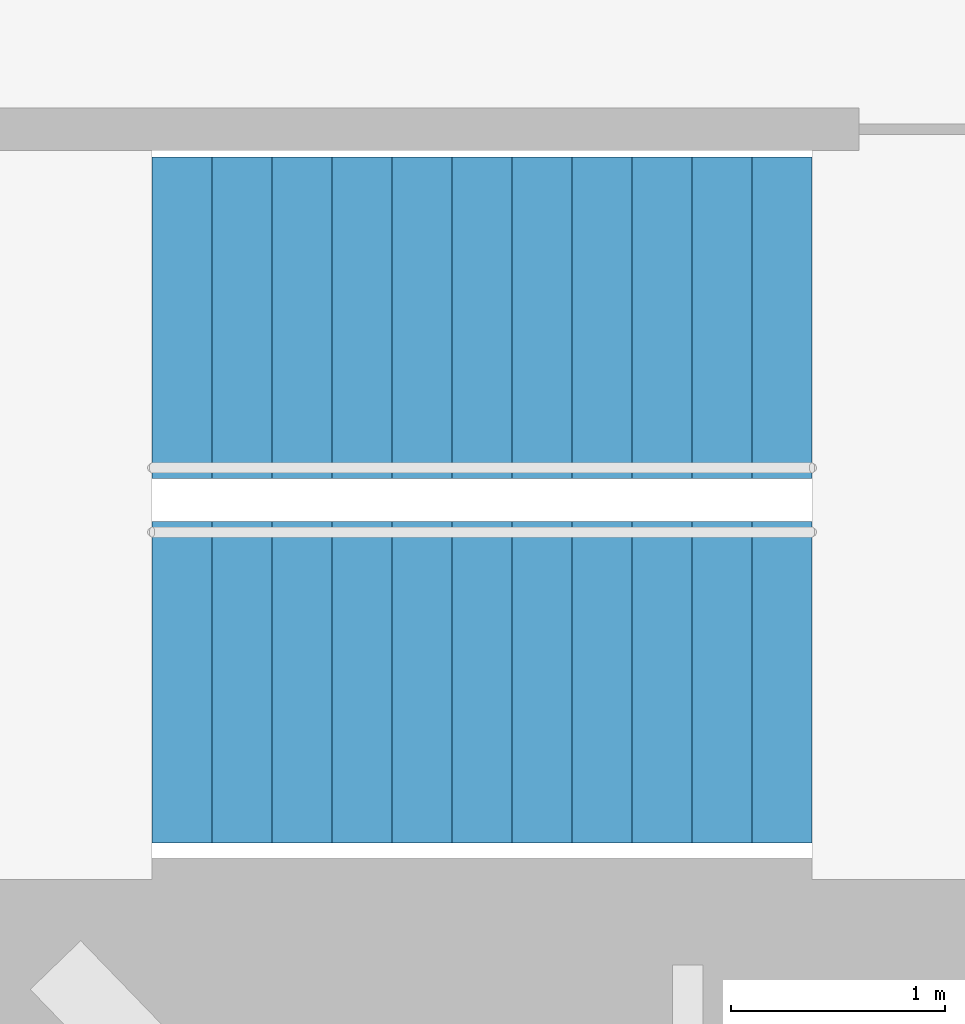
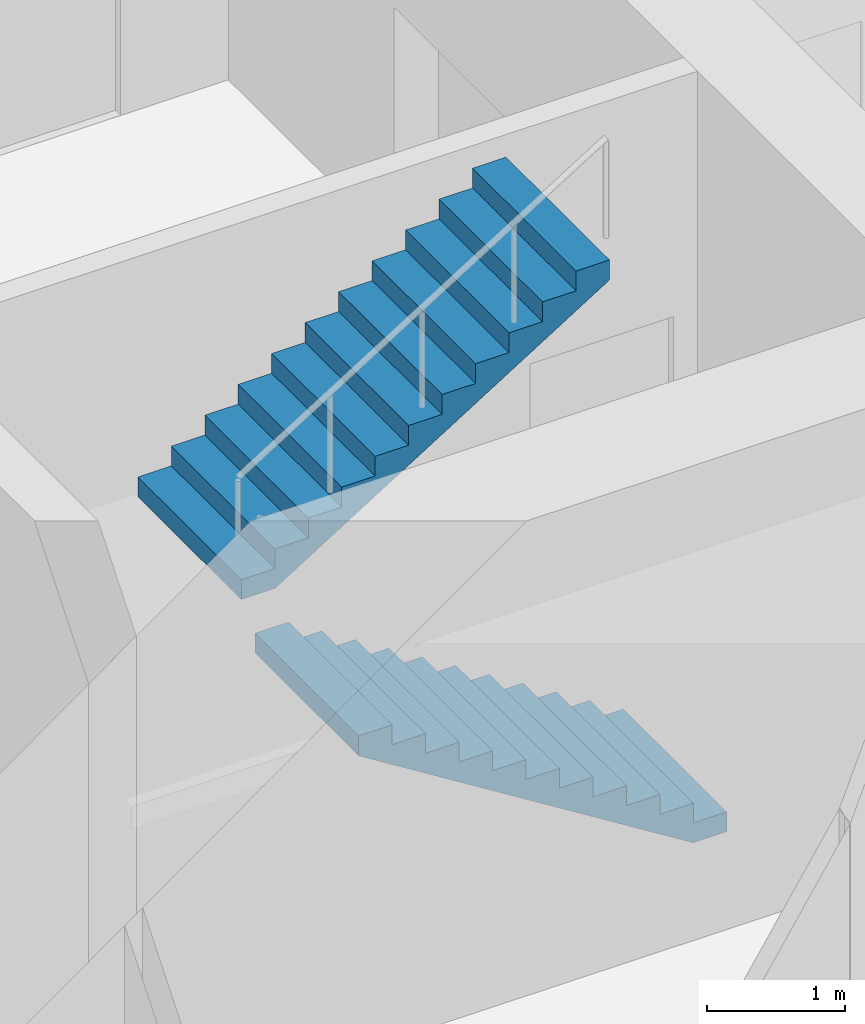
# One storey, part 17 of 18: 2 stair flights, 1 element without a shape of its own.
"""IFC4 building model written with IfcOpenShell, lengths in metres."""

from ifc_helpers import new_model, si_unit, direction, frame, origin, place, context, subcontext, project, spatial, triangles, material, type_object, element, aggregate, save


model = new_model("IFC4")

# Units and contexts
model_context = context("Model", 3, precision=1e-05, world=origin(), true_north=direction((0.0, 1.0)))
body_context = subcontext(model_context, "Body", "Model", "MODEL_VIEW")
ifc_project = project(units=[si_unit("LENGTHUNIT", "METRE"), si_unit("AREAUNIT", "SQUARE_METRE"), si_unit("VOLUMEUNIT", "CUBIC_METRE"), si_unit("PLANEANGLEUNIT", "RADIAN"), si_unit("MASSUNIT", "GRAM", prefix="KILO")], contexts=[model_context])

# Site, building, storey
site_placement = place(None, origin())
site = spatial("IfcSite", under=ifc_project, at=site_placement, CompositionType="ELEMENT")
building_placement = place(site_placement, origin())
building = spatial("IfcBuilding", under=site, at=building_placement, Name="Lantaw Convention Tower", CompositionType="ELEMENT")
storey_placement = place(building_placement, frame((0.0, 0.0, 241.0)))
storey = spatial("IfcBuildingStorey", under=building, at=storey_placement, Name="L56", CompositionType="ELEMENT", Elevation=241.0)

# Stair, stair flights
ifc_material = material(Name="Concrete C35/45", Category="concrete")
stair_type = type_object("IfcStairType", Name="Exit stair 1500 riser 175 in 2 flights", PredefinedType="HALF_TURN_STAIR", material=ifc_material)
stair_placement = place(storey_placement, origin())
stair = element("IfcStair", 1, at=stair_placement, inside=storey, type_object=stair_type, Name="Exit stair S2 L56", PredefinedType="HALF_TURN_STAIR")
stair_flight_type = type_object("IfcStairFlightType", Name="Stair flight 1500 riser 175", PredefinedType="STRAIGHT", material=ifc_material)
stair_flight_1_placement = place(storey_placement, frame((10.580078125, -5.97998046875, 0.0), z_axis=(0.0, 0.0, 1.0), x_axis=(-1.0, 0.0, 0.0)))
stair_flight_1 = element("IfcStairFlight", 2, at=stair_flight_1_placement, type_object=stair_flight_type, Name="S2 flight 1", NumberOfRisers=12, NumberOfTreads=11, PredefinedType="STRAIGHT", RiserHeight=0.175, TreadLength=0.28, context=body_context, shape_type="Tessellation", body=[
    triangles([(0.0, 0.75, 0.0), (0.0, 0.75, 0.175), (0.28, 0.75, 0.0), (0.28, 0.75, 0.175), (0.28, 0.75, 0.35), (0.28283517651771284, 0.75, 0.0), (0.28283517651771284, 0.75, 0.35), (0.56, 0.75, 0.17322801467642948), (0.56, 0.75, 0.35), (0.56, 0.75, 0.5249999999999999), (0.8400000000000001, 0.75, 0.34822801467642944), (0.8400000000000001, 0.75, 0.5249999999999999), (0.8400000000000001, 0.75, 0.7), (1.12, 0.75, 0.5232280146764294), (1.12, 0.75, 0.7), (1.12, 0.75, 0.875), (1.4000000000000001, 0.75, 0.6982280146764295), (1.4000000000000001, 0.75, 0.875), (1.4000000000000001, 0.75, 1.0499999999999998), (1.6800000000000002, 0.75, 0.8732280146764294), (1.6800000000000002, 0.75, 1.0499999999999998), (1.6800000000000002, 0.75, 1.2249999999999999), (1.9600000000000002, 0.75, 1.0482280146764293), (1.9600000000000002, 0.75, 1.2249999999999999), (1.9600000000000002, 0.75, 1.4), (2.24, 0.75, 1.2232280146764294), (2.24, 0.75, 1.4), (2.24, 0.75, 1.575), (2.5200000000000005, 0.75, 1.3982280146764294), (2.5200000000000005, 0.75, 1.575), (2.5200000000000005, 0.75, 1.75), (2.8000000000000003, 0.75, 1.5732280146764293), (2.8000000000000003, 0.75, 1.75), (2.8000000000000003, 0.75, 1.9249999999999998), (3.08, 0.75, 1.7482280146764293), (3.08, 0.75, 1.9249999999999998), (0.0, -0.75, 0.0), (0.0, -0.75, 0.175), (0.28, -0.75, 0.0), (0.28, -0.75, 0.175), (0.28, -0.75, 0.35), (0.28283517651771284, -0.75, 0.0), (0.28283517651771284, -0.75, 0.35), (0.56, -0.75, 0.17322801467642948), (0.56, -0.75, 0.35), (0.56, -0.75, 0.5249999999999999), (0.8400000000000001, -0.75, 0.34822801467642944), (0.8400000000000001, -0.75, 0.5249999999999999), (0.8400000000000001, -0.75, 0.7), (1.12, -0.75, 0.5232280146764294), (1.12, -0.75, 0.7), (1.12, -0.75, 0.875), (1.4000000000000001, -0.75, 0.6982280146764295), (1.4000000000000001, -0.75, 0.875), (1.4000000000000001, -0.75, 1.0499999999999998), (1.6800000000000002, -0.75, 0.8732280146764294), (1.6800000000000002, -0.75, 1.0499999999999998), (1.6800000000000002, -0.75, 1.2249999999999999), (1.9600000000000002, -0.75, 1.0482280146764293), (1.9600000000000002, -0.75, 1.2249999999999999), (1.9600000000000002, -0.75, 1.4), (2.24, -0.75, 1.2232280146764294), (2.24, -0.75, 1.4), (2.24, -0.75, 1.575), (2.5200000000000005, -0.75, 1.3982280146764294), (2.5200000000000005, -0.75, 1.575), (2.5200000000000005, -0.75, 1.75), (2.8000000000000003, -0.75, 1.5732280146764293), (2.8000000000000003, -0.75, 1.75), (2.8000000000000003, -0.75, 1.9249999999999998), (3.08, -0.75, 1.7482280146764293), (3.08, -0.75, 1.9249999999999998), (0.0, 0.15000000000000002, 0.175), (0.0, 0.15000000000000002, 0.0), (0.0, 0.0, 0.175), (0.0, 0.0, 0.0), (0.0, -0.15000000000000002, 0.175), (0.0, -0.15000000000000002, 0.0), (0.28, 0.15000000000000002, 0.35), (0.28, 0.15000000000000002, 0.175), (0.28, 0.0, 0.35), (0.28, 0.0, 0.175), (0.28, -0.15000000000000002, 0.35), (0.28, -0.15000000000000002, 0.175), (0.56, 0.15000000000000002, 0.5249999999999999), (0.56, 0.15000000000000002, 0.35), (0.56, 0.0, 0.5249999999999999), (0.56, 0.0, 0.35), (0.56, -0.15000000000000002, 0.5249999999999999), (0.56, -0.15000000000000002, 0.35), (0.8400000000000001, 0.15000000000000002, 0.7), (0.8400000000000001, 0.15000000000000002, 0.5249999999999999), (0.8400000000000001, 0.0, 0.7), (0.8400000000000001, 0.0, 0.5249999999999999), (0.8400000000000001, -0.15000000000000002, 0.7), (0.8400000000000001, -0.15000000000000002, 0.5249999999999999), (1.12, 0.15000000000000002, 0.875), (1.12, 0.15000000000000002, 0.7), (1.12, 0.0, 0.875), (1.12, 0.0, 0.7), (1.12, -0.15000000000000002, 0.875), (1.12, -0.15000000000000002, 0.7), (1.4000000000000001, 0.15000000000000002, 1.0499999999999998), (1.4000000000000001, 0.15000000000000002, 0.875), (1.4000000000000001, 0.0, 1.0499999999999998), (1.4000000000000001, 0.0, 0.875), (1.4000000000000001, -0.15000000000000002, 1.0499999999999998), (1.4000000000000001, -0.15000000000000002, 0.875), (1.6800000000000002, 0.15000000000000002, 1.2249999999999999), (1.6800000000000002, 0.15000000000000002, 1.0499999999999998), (1.6800000000000002, 0.0, 1.2249999999999999), (1.6800000000000002, 0.0, 1.0499999999999998), (1.6800000000000002, -0.15000000000000002, 1.2249999999999999), (1.6800000000000002, -0.15000000000000002, 1.0499999999999998), (1.9600000000000002, 0.15000000000000002, 1.4), (1.9600000000000002, 0.15000000000000002, 1.2249999999999999), (1.9600000000000002, 0.0, 1.4), (1.9600000000000002, 0.0, 1.2249999999999999), (1.9600000000000002, -0.15000000000000002, 1.4), (1.9600000000000002, -0.15000000000000002, 1.2249999999999999), (2.24, 0.15000000000000002, 1.575), (2.24, 0.15000000000000002, 1.4), (2.24, 0.0, 1.575), (2.24, 0.0, 1.4), (2.24, -0.15000000000000002, 1.575), (2.24, -0.15000000000000002, 1.4), (2.5200000000000005, 0.15000000000000002, 1.75), (2.5200000000000005, 0.15000000000000002, 1.575), (2.5200000000000005, 0.0, 1.75), (2.5200000000000005, 0.0, 1.575), (2.5200000000000005, -0.15000000000000002, 1.75), (2.5200000000000005, -0.15000000000000002, 1.575), (2.8000000000000003, 0.15000000000000002, 1.9249999999999998), (2.8000000000000003, 0.15000000000000002, 1.75), (2.8000000000000003, 0.0, 1.9249999999999998), (2.8000000000000003, 0.0, 1.75), (2.8000000000000003, -0.15000000000000002, 1.9249999999999998), (2.8000000000000003, -0.15000000000000002, 1.75), (0.28283517651771284, 0.15000000000000002, 0.35), (0.28283517651771284, 0.0, 0.35), (0.28283517651771284, -0.15000000000000002, 0.35), (3.08, 0.15000000000000002, 1.9249999999999998), (3.08, 0.0, 1.9249999999999998), (3.08, -0.15000000000000002, 1.9249999999999998), (3.08, 0.15000000000000002, 1.7482280146764293), (3.08, 0.0, 1.7482280146764293), (3.08, -0.15000000000000002, 1.7482280146764293), (2.8000000000000003, 0.15000000000000002, 1.5732280146764293), (2.8000000000000003, 0.0, 1.5732280146764293), (2.8000000000000003, -0.15000000000000002, 1.5732280146764293), (2.5200000000000005, 0.15000000000000002, 1.3982280146764294), (2.5200000000000005, 0.0, 1.3982280146764294), (2.5200000000000005, -0.15000000000000002, 1.3982280146764294), (2.24, 0.15000000000000002, 1.2232280146764294), (2.24, 0.0, 1.2232280146764294), (2.24, -0.15000000000000002, 1.2232280146764294), (1.9600000000000002, 0.15000000000000002, 1.0482280146764293), (1.9600000000000002, 0.0, 1.0482280146764293), (1.9600000000000002, -0.15000000000000002, 1.0482280146764293), (1.6800000000000002, 0.15000000000000002, 0.8732280146764294), (1.6800000000000002, 0.0, 0.8732280146764294), (1.6800000000000002, -0.15000000000000002, 0.8732280146764294), (1.4000000000000001, 0.15000000000000002, 0.6982280146764295), (1.4000000000000001, 0.0, 0.6982280146764295), (1.4000000000000001, -0.15000000000000002, 0.6982280146764295), (1.12, 0.15000000000000002, 0.5232280146764294), (1.12, 0.0, 0.5232280146764294), (1.12, -0.15000000000000002, 0.5232280146764294), (0.8400000000000001, 0.15000000000000002, 0.34822801467642944), (0.8400000000000001, 0.0, 0.34822801467642944), (0.8400000000000001, -0.15000000000000002, 0.34822801467642944), (0.56, 0.15000000000000002, 0.17322801467642948), (0.56, 0.0, 0.17322801467642948), (0.56, -0.15000000000000002, 0.17322801467642948), (0.28283517651771284, 0.15000000000000002, 0.0), (0.28283517651771284, 0.0, 0.0), (0.28283517651771284, -0.15000000000000002, 0.0), (0.28, 0.15000000000000002, 0.0), (0.28, 0.0, 0.0), (0.28, -0.15000000000000002, 0.0)], [[1, 4, 3], [1, 2, 4], [3, 4, 6], [4, 7, 6], [4, 5, 7], [6, 9, 8], [6, 7, 9], [8, 9, 11], [9, 12, 11], [9, 10, 12], [11, 12, 14], [12, 15, 14], [12, 13, 15], [14, 15, 17], [15, 18, 17], [15, 16, 18], [17, 18, 20], [18, 21, 20], [18, 19, 21], [20, 21, 23], [21, 24, 23], [21, 22, 24], [23, 24, 26], [24, 27, 26], [24, 25, 27], [26, 27, 29], [27, 30, 29], [27, 28, 30], [29, 30, 32], [30, 33, 32], [30, 31, 33], [32, 33, 35], [33, 36, 35], [33, 34, 36], [37, 39, 40], [37, 40, 38], [39, 42, 40], [40, 42, 43], [40, 43, 41], [42, 44, 45], [42, 45, 43], [44, 47, 45], [45, 47, 48], [45, 48, 46], [47, 50, 48], [48, 50, 51], [48, 51, 49], [50, 53, 51], [51, 53, 54], [51, 54, 52], [53, 56, 54], [54, 56, 57], [54, 57, 55], [56, 59, 57], [57, 59, 60], [57, 60, 58], [59, 62, 60], [60, 62, 63], [60, 63, 61], [62, 65, 63], [63, 65, 66], [63, 66, 64], [65, 68, 66], [66, 68, 69], [66, 69, 67], [68, 71, 69], [69, 71, 72], [69, 72, 70], [1, 73, 2], [1, 74, 73], [74, 75, 73], [74, 76, 75], [76, 77, 75], [76, 78, 77], [78, 38, 77], [78, 37, 38], [4, 79, 5], [4, 80, 79], [80, 81, 79], [80, 82, 81], [82, 83, 81], [82, 84, 83], [84, 41, 83], [84, 40, 41], [9, 85, 10], [9, 86, 85], [86, 87, 85], [86, 88, 87], [88, 89, 87], [88, 90, 89], [90, 46, 89], [90, 45, 46], [12, 91, 13], [12, 92, 91], [92, 93, 91], [92, 94, 93], [94, 95, 93], [94, 96, 95], [96, 49, 95], [96, 48, 49], [15, 97, 16], [15, 98, 97], [98, 99, 97], [98, 100, 99], [100, 101, 99], [100, 102, 101], [102, 52, 101], [102, 51, 52], [18, 103, 19], [18, 104, 103], [104, 105, 103], [104, 106, 105], [106, 107, 105], [106, 108, 107], [108, 55, 107], [108, 54, 55], [21, 109, 22], [21, 110, 109], [110, 111, 109], [110, 112, 111], [112, 113, 111], [112, 114, 113], [114, 58, 113], [114, 57, 58], [24, 115, 25], [24, 116, 115], [116, 117, 115], [116, 118, 117], [118, 119, 117], [118, 120, 119], [120, 61, 119], [120, 60, 61], [27, 121, 28], [27, 122, 121], [122, 123, 121], [122, 124, 123], [124, 125, 123], [124, 126, 125], [126, 64, 125], [126, 63, 64], [30, 127, 31], [30, 128, 127], [128, 129, 127], [128, 130, 129], [130, 131, 129], [130, 132, 131], [132, 67, 131], [132, 66, 67], [33, 133, 34], [33, 134, 133], [134, 135, 133], [134, 136, 135], [136, 137, 135], [136, 138, 137], [138, 70, 137], [138, 69, 70], [2, 80, 4], [2, 73, 80], [73, 82, 80], [73, 75, 82], [75, 84, 82], [75, 77, 84], [77, 40, 84], [77, 38, 40], [5, 139, 7], [5, 79, 139], [79, 140, 139], [79, 81, 140], [81, 141, 140], [81, 83, 141], [83, 43, 141], [83, 41, 43], [7, 86, 9], [7, 139, 86], [139, 88, 86], [139, 140, 88], [140, 90, 88], [140, 141, 90], [141, 45, 90], [141, 43, 45], [10, 92, 12], [10, 85, 92], [85, 94, 92], [85, 87, 94], [87, 96, 94], [87, 89, 96], [89, 48, 96], [89, 46, 48], [13, 98, 15], [13, 91, 98], [91, 100, 98], [91, 93, 100], [93, 102, 100], [93, 95, 102], [95, 51, 102], [95, 49, 51], [16, 104, 18], [16, 97, 104], [97, 106, 104], [97, 99, 106], [99, 108, 106], [99, 101, 108], [101, 54, 108], [101, 52, 54], [19, 110, 21], [19, 103, 110], [103, 112, 110], [103, 105, 112], [105, 114, 112], [105, 107, 114], [107, 57, 114], [107, 55, 57], [22, 116, 24], [22, 109, 116], [109, 118, 116], [109, 111, 118], [111, 120, 118], [111, 113, 120], [113, 60, 120], [113, 58, 60], [25, 122, 27], [25, 115, 122], [115, 124, 122], [115, 117, 124], [117, 126, 124], [117, 119, 126], [119, 63, 126], [119, 61, 63], [28, 128, 30], [28, 121, 128], [121, 130, 128], [121, 123, 130], [123, 132, 130], [123, 125, 132], [125, 66, 132], [125, 64, 66], [31, 134, 33], [31, 127, 134], [127, 136, 134], [127, 129, 136], [129, 138, 136], [129, 131, 138], [131, 69, 138], [131, 67, 69], [34, 142, 36], [34, 133, 142], [133, 143, 142], [133, 135, 143], [135, 144, 143], [135, 137, 144], [137, 72, 144], [137, 70, 72], [36, 145, 35], [36, 142, 145], [142, 146, 145], [142, 143, 146], [143, 147, 146], [143, 144, 147], [144, 71, 147], [144, 72, 71], [35, 148, 32], [35, 145, 148], [145, 149, 148], [145, 146, 149], [146, 150, 149], [146, 147, 150], [147, 68, 150], [147, 71, 68], [32, 151, 29], [32, 148, 151], [148, 152, 151], [148, 149, 152], [149, 153, 152], [149, 150, 153], [150, 65, 153], [150, 68, 65], [29, 154, 26], [29, 151, 154], [151, 155, 154], [151, 152, 155], [152, 156, 155], [152, 153, 156], [153, 62, 156], [153, 65, 62], [26, 157, 23], [26, 154, 157], [154, 158, 157], [154, 155, 158], [155, 159, 158], [155, 156, 159], [156, 59, 159], [156, 62, 59], [23, 160, 20], [23, 157, 160], [157, 161, 160], [157, 158, 161], [158, 162, 161], [158, 159, 162], [159, 56, 162], [159, 59, 56], [20, 163, 17], [20, 160, 163], [160, 164, 163], [160, 161, 164], [161, 165, 164], [161, 162, 165], [162, 53, 165], [162, 56, 53], [17, 166, 14], [17, 163, 166], [163, 167, 166], [163, 164, 167], [164, 168, 167], [164, 165, 168], [165, 50, 168], [165, 53, 50], [14, 169, 11], [14, 166, 169], [166, 170, 169], [166, 167, 170], [167, 171, 170], [167, 168, 171], [168, 47, 171], [168, 50, 47], [11, 172, 8], [11, 169, 172], [169, 173, 172], [169, 170, 173], [170, 174, 173], [170, 171, 174], [171, 44, 174], [171, 47, 44], [8, 175, 6], [8, 172, 175], [172, 176, 175], [172, 173, 176], [173, 177, 176], [173, 174, 177], [174, 42, 177], [174, 44, 42], [6, 178, 3], [6, 175, 178], [175, 179, 178], [175, 176, 179], [176, 180, 179], [176, 177, 180], [177, 39, 180], [177, 42, 39], [3, 74, 1], [3, 178, 74], [178, 76, 74], [178, 179, 76], [179, 78, 76], [179, 180, 78], [180, 37, 78], [180, 39, 37]], closed=True),
])
stair_flight_2_placement = place(storey_placement, frame((7.5, -4.280029296875, 2.10009765625), z_axis=(0.0, 0.0, 1.0), x_axis=(1.0, 0.0, 0.0)))
stair_flight_2 = element("IfcStairFlight", 3, at=stair_flight_2_placement, type_object=stair_flight_type, Name="S2 flight 2", NumberOfRisers=12, NumberOfTreads=11, PredefinedType="STRAIGHT", RiserHeight=0.175, TreadLength=0.28, context=body_context, shape_type="Tessellation", body=[
    triangles([(0.0, 0.75, 0.0), (0.0, 0.75, 0.175), (0.28, 0.75, 0.0), (0.28, 0.75, 0.175), (0.28, 0.75, 0.35), (0.28283517651771284, 0.75, 0.0), (0.28283517651771284, 0.75, 0.35), (0.56, 0.75, 0.17322801467642948), (0.56, 0.75, 0.35), (0.56, 0.75, 0.5249999999999999), (0.8400000000000001, 0.75, 0.34822801467642944), (0.8400000000000001, 0.75, 0.5249999999999999), (0.8400000000000001, 0.75, 0.7), (1.12, 0.75, 0.5232280146764294), (1.12, 0.75, 0.7), (1.12, 0.75, 0.875), (1.4000000000000001, 0.75, 0.6982280146764295), (1.4000000000000001, 0.75, 0.875), (1.4000000000000001, 0.75, 1.0499999999999998), (1.6800000000000002, 0.75, 0.8732280146764294), (1.6800000000000002, 0.75, 1.0499999999999998), (1.6800000000000002, 0.75, 1.2249999999999999), (1.9600000000000002, 0.75, 1.0482280146764293), (1.9600000000000002, 0.75, 1.2249999999999999), (1.9600000000000002, 0.75, 1.4), (2.24, 0.75, 1.2232280146764294), (2.24, 0.75, 1.4), (2.24, 0.75, 1.575), (2.5200000000000005, 0.75, 1.3982280146764294), (2.5200000000000005, 0.75, 1.575), (2.5200000000000005, 0.75, 1.75), (2.8000000000000003, 0.75, 1.5732280146764293), (2.8000000000000003, 0.75, 1.75), (2.8000000000000003, 0.75, 1.9249999999999998), (3.08, 0.75, 1.7482280146764293), (3.08, 0.75, 1.9249999999999998), (0.0, -0.75, 0.0), (0.0, -0.75, 0.175), (0.28, -0.75, 0.0), (0.28, -0.75, 0.175), (0.28, -0.75, 0.35), (0.28283517651771284, -0.75, 0.0), (0.28283517651771284, -0.75, 0.35), (0.56, -0.75, 0.17322801467642948), (0.56, -0.75, 0.35), (0.56, -0.75, 0.5249999999999999), (0.8400000000000001, -0.75, 0.34822801467642944), (0.8400000000000001, -0.75, 0.5249999999999999), (0.8400000000000001, -0.75, 0.7), (1.12, -0.75, 0.5232280146764294), (1.12, -0.75, 0.7), (1.12, -0.75, 0.875), (1.4000000000000001, -0.75, 0.6982280146764295), (1.4000000000000001, -0.75, 0.875), (1.4000000000000001, -0.75, 1.0499999999999998), (1.6800000000000002, -0.75, 0.8732280146764294), (1.6800000000000002, -0.75, 1.0499999999999998), (1.6800000000000002, -0.75, 1.2249999999999999), (1.9600000000000002, -0.75, 1.0482280146764293), (1.9600000000000002, -0.75, 1.2249999999999999), (1.9600000000000002, -0.75, 1.4), (2.24, -0.75, 1.2232280146764294), (2.24, -0.75, 1.4), (2.24, -0.75, 1.575), (2.5200000000000005, -0.75, 1.3982280146764294), (2.5200000000000005, -0.75, 1.575), (2.5200000000000005, -0.75, 1.75), (2.8000000000000003, -0.75, 1.5732280146764293), (2.8000000000000003, -0.75, 1.75), (2.8000000000000003, -0.75, 1.9249999999999998), (3.08, -0.75, 1.7482280146764293), (3.08, -0.75, 1.9249999999999998), (0.0, 0.15000000000000002, 0.175), (0.0, 0.15000000000000002, 0.0), (0.0, 0.0, 0.175), (0.0, 0.0, 0.0), (0.0, -0.15000000000000002, 0.175), (0.0, -0.15000000000000002, 0.0), (0.28, 0.15000000000000002, 0.35), (0.28, 0.15000000000000002, 0.175), (0.28, 0.0, 0.35), (0.28, 0.0, 0.175), (0.28, -0.15000000000000002, 0.35), (0.28, -0.15000000000000002, 0.175), (0.56, 0.15000000000000002, 0.5249999999999999), (0.56, 0.15000000000000002, 0.35), (0.56, 0.0, 0.5249999999999999), (0.56, 0.0, 0.35), (0.56, -0.15000000000000002, 0.5249999999999999), (0.56, -0.15000000000000002, 0.35), (0.8400000000000001, 0.15000000000000002, 0.7), (0.8400000000000001, 0.15000000000000002, 0.5249999999999999), (0.8400000000000001, 0.0, 0.7), (0.8400000000000001, 0.0, 0.5249999999999999), (0.8400000000000001, -0.15000000000000002, 0.7), (0.8400000000000001, -0.15000000000000002, 0.5249999999999999), (1.12, 0.15000000000000002, 0.875), (1.12, 0.15000000000000002, 0.7), (1.12, 0.0, 0.875), (1.12, 0.0, 0.7), (1.12, -0.15000000000000002, 0.875), (1.12, -0.15000000000000002, 0.7), (1.4000000000000001, 0.15000000000000002, 1.0499999999999998), (1.4000000000000001, 0.15000000000000002, 0.875), (1.4000000000000001, 0.0, 1.0499999999999998), (1.4000000000000001, 0.0, 0.875), (1.4000000000000001, -0.15000000000000002, 1.0499999999999998), (1.4000000000000001, -0.15000000000000002, 0.875), (1.6800000000000002, 0.15000000000000002, 1.2249999999999999), (1.6800000000000002, 0.15000000000000002, 1.0499999999999998), (1.6800000000000002, 0.0, 1.2249999999999999), (1.6800000000000002, 0.0, 1.0499999999999998), (1.6800000000000002, -0.15000000000000002, 1.2249999999999999), (1.6800000000000002, -0.15000000000000002, 1.0499999999999998), (1.9600000000000002, 0.15000000000000002, 1.4), (1.9600000000000002, 0.15000000000000002, 1.2249999999999999), (1.9600000000000002, 0.0, 1.4), (1.9600000000000002, 0.0, 1.2249999999999999), (1.9600000000000002, -0.15000000000000002, 1.4), (1.9600000000000002, -0.15000000000000002, 1.2249999999999999), (2.24, 0.15000000000000002, 1.575), (2.24, 0.15000000000000002, 1.4), (2.24, 0.0, 1.575), (2.24, 0.0, 1.4), (2.24, -0.15000000000000002, 1.575), (2.24, -0.15000000000000002, 1.4), (2.5200000000000005, 0.15000000000000002, 1.75), (2.5200000000000005, 0.15000000000000002, 1.575), (2.5200000000000005, 0.0, 1.75), (2.5200000000000005, 0.0, 1.575), (2.5200000000000005, -0.15000000000000002, 1.75), (2.5200000000000005, -0.15000000000000002, 1.575), (2.8000000000000003, 0.15000000000000002, 1.9249999999999998), (2.8000000000000003, 0.15000000000000002, 1.75), (2.8000000000000003, 0.0, 1.9249999999999998), (2.8000000000000003, 0.0, 1.75), (2.8000000000000003, -0.15000000000000002, 1.9249999999999998), (2.8000000000000003, -0.15000000000000002, 1.75), (0.28283517651771284, 0.15000000000000002, 0.35), (0.28283517651771284, 0.0, 0.35), (0.28283517651771284, -0.15000000000000002, 0.35), (3.08, 0.15000000000000002, 1.9249999999999998), (3.08, 0.0, 1.9249999999999998), (3.08, -0.15000000000000002, 1.9249999999999998), (3.08, 0.15000000000000002, 1.7482280146764293), (3.08, 0.0, 1.7482280146764293), (3.08, -0.15000000000000002, 1.7482280146764293), (2.8000000000000003, 0.15000000000000002, 1.5732280146764293), (2.8000000000000003, 0.0, 1.5732280146764293), (2.8000000000000003, -0.15000000000000002, 1.5732280146764293), (2.5200000000000005, 0.15000000000000002, 1.3982280146764294), (2.5200000000000005, 0.0, 1.3982280146764294), (2.5200000000000005, -0.15000000000000002, 1.3982280146764294), (2.24, 0.15000000000000002, 1.2232280146764294), (2.24, 0.0, 1.2232280146764294), (2.24, -0.15000000000000002, 1.2232280146764294), (1.9600000000000002, 0.15000000000000002, 1.0482280146764293), (1.9600000000000002, 0.0, 1.0482280146764293), (1.9600000000000002, -0.15000000000000002, 1.0482280146764293), (1.6800000000000002, 0.15000000000000002, 0.8732280146764294), (1.6800000000000002, 0.0, 0.8732280146764294), (1.6800000000000002, -0.15000000000000002, 0.8732280146764294), (1.4000000000000001, 0.15000000000000002, 0.6982280146764295), (1.4000000000000001, 0.0, 0.6982280146764295), (1.4000000000000001, -0.15000000000000002, 0.6982280146764295), (1.12, 0.15000000000000002, 0.5232280146764294), (1.12, 0.0, 0.5232280146764294), (1.12, -0.15000000000000002, 0.5232280146764294), (0.8400000000000001, 0.15000000000000002, 0.34822801467642944), (0.8400000000000001, 0.0, 0.34822801467642944), (0.8400000000000001, -0.15000000000000002, 0.34822801467642944), (0.56, 0.15000000000000002, 0.17322801467642948), (0.56, 0.0, 0.17322801467642948), (0.56, -0.15000000000000002, 0.17322801467642948), (0.28283517651771284, 0.15000000000000002, 0.0), (0.28283517651771284, 0.0, 0.0), (0.28283517651771284, -0.15000000000000002, 0.0), (0.28, 0.15000000000000002, 0.0), (0.28, 0.0, 0.0), (0.28, -0.15000000000000002, 0.0)], [[1, 4, 3], [1, 2, 4], [3, 4, 6], [4, 7, 6], [4, 5, 7], [6, 9, 8], [6, 7, 9], [8, 9, 11], [9, 12, 11], [9, 10, 12], [11, 12, 14], [12, 15, 14], [12, 13, 15], [14, 15, 17], [15, 18, 17], [15, 16, 18], [17, 18, 20], [18, 21, 20], [18, 19, 21], [20, 21, 23], [21, 24, 23], [21, 22, 24], [23, 24, 26], [24, 27, 26], [24, 25, 27], [26, 27, 29], [27, 30, 29], [27, 28, 30], [29, 30, 32], [30, 33, 32], [30, 31, 33], [32, 33, 35], [33, 36, 35], [33, 34, 36], [37, 39, 40], [37, 40, 38], [39, 42, 40], [40, 42, 43], [40, 43, 41], [42, 44, 45], [42, 45, 43], [44, 47, 45], [45, 47, 48], [45, 48, 46], [47, 50, 48], [48, 50, 51], [48, 51, 49], [50, 53, 51], [51, 53, 54], [51, 54, 52], [53, 56, 54], [54, 56, 57], [54, 57, 55], [56, 59, 57], [57, 59, 60], [57, 60, 58], [59, 62, 60], [60, 62, 63], [60, 63, 61], [62, 65, 63], [63, 65, 66], [63, 66, 64], [65, 68, 66], [66, 68, 69], [66, 69, 67], [68, 71, 69], [69, 71, 72], [69, 72, 70], [1, 73, 2], [1, 74, 73], [74, 75, 73], [74, 76, 75], [76, 77, 75], [76, 78, 77], [78, 38, 77], [78, 37, 38], [4, 79, 5], [4, 80, 79], [80, 81, 79], [80, 82, 81], [82, 83, 81], [82, 84, 83], [84, 41, 83], [84, 40, 41], [9, 85, 10], [9, 86, 85], [86, 87, 85], [86, 88, 87], [88, 89, 87], [88, 90, 89], [90, 46, 89], [90, 45, 46], [12, 91, 13], [12, 92, 91], [92, 93, 91], [92, 94, 93], [94, 95, 93], [94, 96, 95], [96, 49, 95], [96, 48, 49], [15, 97, 16], [15, 98, 97], [98, 99, 97], [98, 100, 99], [100, 101, 99], [100, 102, 101], [102, 52, 101], [102, 51, 52], [18, 103, 19], [18, 104, 103], [104, 105, 103], [104, 106, 105], [106, 107, 105], [106, 108, 107], [108, 55, 107], [108, 54, 55], [21, 109, 22], [21, 110, 109], [110, 111, 109], [110, 112, 111], [112, 113, 111], [112, 114, 113], [114, 58, 113], [114, 57, 58], [24, 115, 25], [24, 116, 115], [116, 117, 115], [116, 118, 117], [118, 119, 117], [118, 120, 119], [120, 61, 119], [120, 60, 61], [27, 121, 28], [27, 122, 121], [122, 123, 121], [122, 124, 123], [124, 125, 123], [124, 126, 125], [126, 64, 125], [126, 63, 64], [30, 127, 31], [30, 128, 127], [128, 129, 127], [128, 130, 129], [130, 131, 129], [130, 132, 131], [132, 67, 131], [132, 66, 67], [33, 133, 34], [33, 134, 133], [134, 135, 133], [134, 136, 135], [136, 137, 135], [136, 138, 137], [138, 70, 137], [138, 69, 70], [2, 80, 4], [2, 73, 80], [73, 82, 80], [73, 75, 82], [75, 84, 82], [75, 77, 84], [77, 40, 84], [77, 38, 40], [5, 139, 7], [5, 79, 139], [79, 140, 139], [79, 81, 140], [81, 141, 140], [81, 83, 141], [83, 43, 141], [83, 41, 43], [7, 86, 9], [7, 139, 86], [139, 88, 86], [139, 140, 88], [140, 90, 88], [140, 141, 90], [141, 45, 90], [141, 43, 45], [10, 92, 12], [10, 85, 92], [85, 94, 92], [85, 87, 94], [87, 96, 94], [87, 89, 96], [89, 48, 96], [89, 46, 48], [13, 98, 15], [13, 91, 98], [91, 100, 98], [91, 93, 100], [93, 102, 100], [93, 95, 102], [95, 51, 102], [95, 49, 51], [16, 104, 18], [16, 97, 104], [97, 106, 104], [97, 99, 106], [99, 108, 106], [99, 101, 108], [101, 54, 108], [101, 52, 54], [19, 110, 21], [19, 103, 110], [103, 112, 110], [103, 105, 112], [105, 114, 112], [105, 107, 114], [107, 57, 114], [107, 55, 57], [22, 116, 24], [22, 109, 116], [109, 118, 116], [109, 111, 118], [111, 120, 118], [111, 113, 120], [113, 60, 120], [113, 58, 60], [25, 122, 27], [25, 115, 122], [115, 124, 122], [115, 117, 124], [117, 126, 124], [117, 119, 126], [119, 63, 126], [119, 61, 63], [28, 128, 30], [28, 121, 128], [121, 130, 128], [121, 123, 130], [123, 132, 130], [123, 125, 132], [125, 66, 132], [125, 64, 66], [31, 134, 33], [31, 127, 134], [127, 136, 134], [127, 129, 136], [129, 138, 136], [129, 131, 138], [131, 69, 138], [131, 67, 69], [34, 142, 36], [34, 133, 142], [133, 143, 142], [133, 135, 143], [135, 144, 143], [135, 137, 144], [137, 72, 144], [137, 70, 72], [36, 145, 35], [36, 142, 145], [142, 146, 145], [142, 143, 146], [143, 147, 146], [143, 144, 147], [144, 71, 147], [144, 72, 71], [35, 148, 32], [35, 145, 148], [145, 149, 148], [145, 146, 149], [146, 150, 149], [146, 147, 150], [147, 68, 150], [147, 71, 68], [32, 151, 29], [32, 148, 151], [148, 152, 151], [148, 149, 152], [149, 153, 152], [149, 150, 153], [150, 65, 153], [150, 68, 65], [29, 154, 26], [29, 151, 154], [151, 155, 154], [151, 152, 155], [152, 156, 155], [152, 153, 156], [153, 62, 156], [153, 65, 62], [26, 157, 23], [26, 154, 157], [154, 158, 157], [154, 155, 158], [155, 159, 158], [155, 156, 159], [156, 59, 159], [156, 62, 59], [23, 160, 20], [23, 157, 160], [157, 161, 160], [157, 158, 161], [158, 162, 161], [158, 159, 162], [159, 56, 162], [159, 59, 56], [20, 163, 17], [20, 160, 163], [160, 164, 163], [160, 161, 164], [161, 165, 164], [161, 162, 165], [162, 53, 165], [162, 56, 53], [17, 166, 14], [17, 163, 166], [163, 167, 166], [163, 164, 167], [164, 168, 167], [164, 165, 168], [165, 50, 168], [165, 53, 50], [14, 169, 11], [14, 166, 169], [166, 170, 169], [166, 167, 170], [167, 171, 170], [167, 168, 171], [168, 47, 171], [168, 50, 47], [11, 172, 8], [11, 169, 172], [169, 173, 172], [169, 170, 173], [170, 174, 173], [170, 171, 174], [171, 44, 174], [171, 47, 44], [8, 175, 6], [8, 172, 175], [172, 176, 175], [172, 173, 176], [173, 177, 176], [173, 174, 177], [174, 42, 177], [174, 44, 42], [6, 178, 3], [6, 175, 178], [175, 179, 178], [175, 176, 179], [176, 180, 179], [176, 177, 180], [177, 39, 180], [177, 42, 39], [3, 74, 1], [3, 178, 74], [178, 76, 74], [178, 179, 76], [179, 78, 76], [179, 180, 78], [180, 37, 78], [180, 39, 37]], closed=True),
])
aggregate(stair, [stair_flight_1, stair_flight_2])

save(model, "model.ifc")
